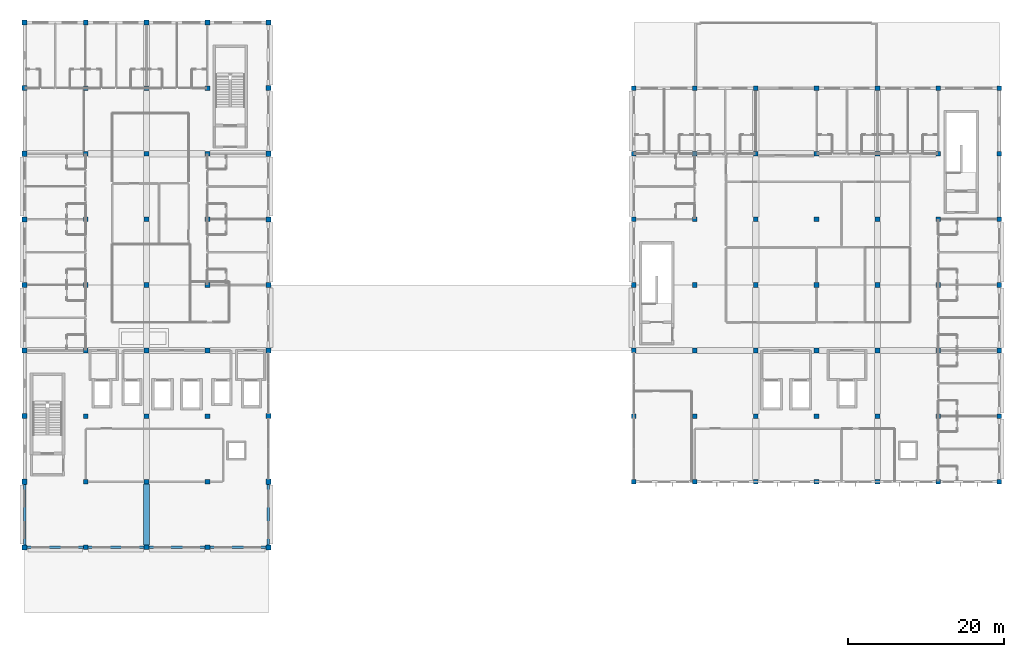
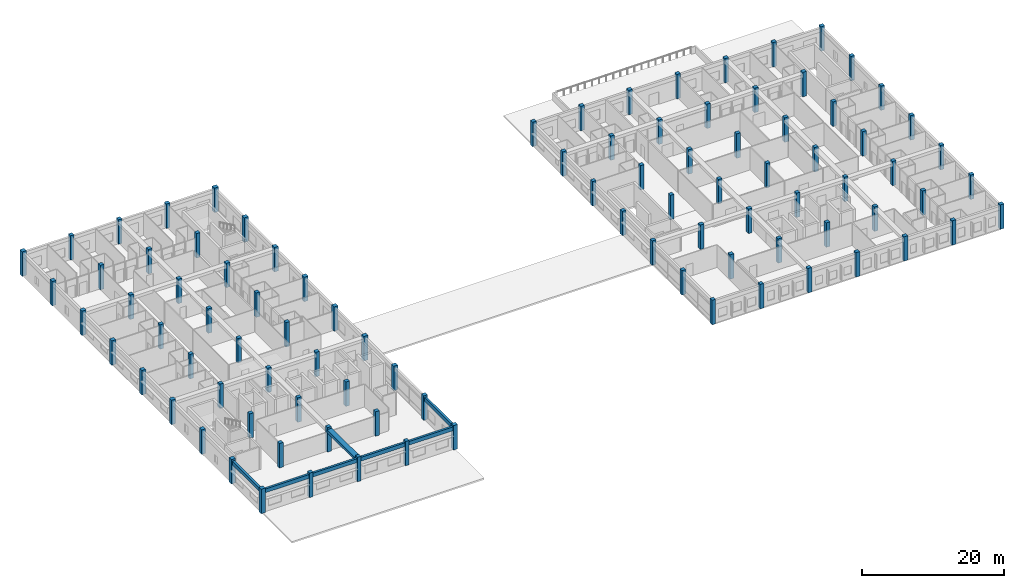
# One storey, part 1 of 32: 94 columns, 7 beams.
"""IFC4 building model written with IfcOpenShell, lengths in metres."""

from ifc_helpers import new_model, si_unit, direction, frame, origin, origin_2d, place, context, subcontext, project, spatial, rectangle, extrude, material, material_profile, profile_set, type_object, element, save


model = new_model("IFC4")

# Units and contexts
model_context = context("Model", 3, precision=1e-05, world=origin(), true_north=direction((0.0, 1.0)))
body_context = subcontext(model_context, "Body", "Model", "MODEL_VIEW")
ifc_project = project(units=[si_unit("LENGTHUNIT", "METRE"), si_unit("AREAUNIT", "SQUARE_METRE"), si_unit("VOLUMEUNIT", "CUBIC_METRE"), si_unit("PLANEANGLEUNIT", "RADIAN"), si_unit("MASSUNIT", "GRAM", prefix="KILO"), si_unit("THERMODYNAMICTEMPERATUREUNIT", "KELVIN"), si_unit("POWERUNIT", "WATT")], contexts=[model_context])

# Site, building, storey
site_placement = place(None, origin())
site = spatial("IfcSite", under=ifc_project, at=site_placement, CompositionType="ELEMENT")
building_placement = place(site_placement, origin())
building = spatial("IfcBuilding", under=site, at=building_placement, Name="Srebrne Nadtorze General Hospital", CompositionType="ELEMENT")
storey_placement = place(building_placement, frame((0.0, 0.0, 29.699951171875)))
storey = spatial("IfcBuildingStorey", under=building, at=storey_placement, Name="L07", CompositionType="ELEMENT", Elevation=29.699951171875)

# Columns
ifc_material_1 = material(Name="Concrete C35/45", Category="concrete")
ifc_material_profile_1 = material_profile(ifc_material_1, rectangle(XDim=0.60009765625, YDim=0.60009765625, at=origin_2d()), Name="RC-COL-600x600")
ifc_profile_set_1 = profile_set([ifc_material_profile_1], Name="Concrete C35/45")
column_type_1 = type_object("IfcColumnType", Name="Reinforced concrete column 600x600", PredefinedType="COLUMN", material=ifc_profile_set_1)
for number, where, z_axis, x_axis, name in (
    (1, (31.199951171875, 25.199951171875, 0.0), (0.0, 0.0, 1.0), (1.0, 0.0, 0.0), "Column CL-L07-5-D"),
    (2, (31.199951171875, 33.60009765625, 0.0), (0.0, 0.0, 1.0), (1.0, 0.0, 0.0), "Column CL-L07-5-E"),
    (3, (31.199951171875, 42.0, 0.0), (0.0, 0.0, 1.0), (1.0, 0.0, 0.0), "Column CL-L07-5-F"),
    (4, (31.199951171875, 50.39990234375, 0.0), (0.0, 0.0, 1.0), (1.0, 0.0, 0.0), "Column CL-L07-5-G"),
    (5, (31.199951171875, 58.800048828125, 0.0), (0.0, 0.0, 1.0), (1.0, 0.0, 0.0), "Column CL-L07-5-H"),
    (6, (31.199951171875, 67.199951171875, 0.0), (0.0, 0.0, 1.0), (1.0, 0.0, 0.0), "Column CL-L07-5-J"),
    (7, (31.199951171875, 75.60009765625, 0.0), (0.0, 0.0, 1.0), (1.0, 0.0, 0.0), "Column CL-L07-5-K"),
    (8, (31.199951171875, 84.0, 0.0), (0.0, 0.0, 1.0), (1.0, 0.0, 0.0), "Column CL-L07-5-L"),
    (9, (31.199951171875, 92.39990234375, 0.0), (0.0, 0.0, 1.0), (1.0, 0.0, 0.0), "Column CL-L07-5-M"),
    (10, (39.0, 25.199951171875, 0.0), (0.0, 0.0, 1.0), (1.0, 0.0, 0.0), "Column CL-L07-6-D"),
    (11, (39.0, 33.60009765625, 0.0), (0.0, 0.0, 1.0), (1.0, 0.0, 0.0), "Column CL-L07-6-E"),
    (12, (39.0, 42.0, 0.0), (0.0, 0.0, 1.0), (1.0, 0.0, 0.0), "Column CL-L07-6-F"),
    (13, (39.0, 50.39990234375, 0.0), (0.0, 0.0, 1.0), (1.0, 0.0, 0.0), "Column CL-L07-6-G"),
    (14, (39.0, 58.800048828125, 0.0), (0.0, 0.0, 1.0), (1.0, 0.0, 0.0), "Column CL-L07-6-H"),
    (15, (39.0, 67.199951171875, 0.0), (0.0, 0.0, 1.0), (1.0, 0.0, 0.0), "Column CL-L07-6-J"),
    (16, (39.0, 75.60009765625, 0.0), (0.0, 0.0, 1.0), (1.0, 0.0, 0.0), "Column CL-L07-6-K"),
    (17, (39.0, 84.0, 0.0), (0.0, 0.0, 1.0), (1.0, 0.0, 0.0), "Column CL-L07-6-L"),
    (18, (39.0, 92.39990234375, 0.0), (0.0, 0.0, 1.0), (1.0, 0.0, 0.0), "Column CL-L07-6-M"),
    (19, (46.800048828125, 25.199951171875, 0.0), (0.0, 0.0, 1.0), (1.0, 0.0, 0.0), "Column CL-L07-7-D"),
    (20, (46.800048828125, 33.60009765625, 0.0), (0.0, 0.0, 1.0), (1.0, 0.0, 0.0), "Column CL-L07-7-E"),
    (21, (46.800048828125, 42.0, 0.0), (0.0, 0.0, 1.0), (1.0, 0.0, 0.0), "Column CL-L07-7-F"),
    (22, (46.800048828125, 50.39990234375, 0.0), (0.0, 0.0, 1.0), (1.0, 0.0, 0.0), "Column CL-L07-7-G"),
    (23, (46.800048828125, 58.800048828125, 0.0), (0.0, 0.0, 1.0), (1.0, 0.0, 0.0), "Column CL-L07-7-H"),
    (24, (46.800048828125, 67.199951171875, 0.0), (0.0, 0.0, 1.0), (1.0, 0.0, 0.0), "Column CL-L07-7-J"),
    (25, (46.800048828125, 75.60009765625, 0.0), (0.0, 0.0, 1.0), (1.0, 0.0, 0.0), "Column CL-L07-7-K"),
    (26, (46.800048828125, 84.0, 0.0), (0.0, 0.0, 1.0), (1.0, 0.0, 0.0), "Column CL-L07-7-L"),
    (27, (46.800048828125, 92.39990234375, 0.0), (0.0, 0.0, 1.0), (1.0, 0.0, 0.0), "Column CL-L07-7-M"),
    (28, (101.39990234375, 33.60009765625, 0.0), (0.0, 0.0, 1.0), (1.0, 0.0, 0.0), "Column CL-L07-14-E"),
    (29, (101.39990234375, 42.0, 0.0), (0.0, 0.0, 1.0), (1.0, 0.0, 0.0), "Column CL-L07-14-F"),
    (30, (101.39990234375, 50.39990234375, 0.0), (0.0, 0.0, 1.0), (1.0, 0.0, 0.0), "Column CL-L07-14-G"),
    (31, (101.39990234375, 58.800048828125, 0.0), (0.0, 0.0, 1.0), (1.0, 0.0, 0.0), "Column CL-L07-14-H"),
    (32, (101.39990234375, 67.199951171875, 0.0), (0.0, 0.0, 1.0), (1.0, 0.0, 0.0), "Column CL-L07-14-J"),
    (33, (101.39990234375, 75.60009765625, 0.0), (0.0, 0.0, 1.0), (1.0, 0.0, 0.0), "Column CL-L07-14-K"),
    (34, (101.39990234375, 84.0, 0.0), (0.0, 0.0, 1.0), (1.0, 0.0, 0.0), "Column CL-L07-14-L"),
    (35, (109.199951171875, 33.60009765625, 0.0), (0.0, 0.0, 1.0), (1.0, 0.0, 0.0), "Column CL-L07-15-E"),
    (36, (109.199951171875, 42.0, 0.0), (0.0, 0.0, 1.0), (1.0, 0.0, 0.0), "Column CL-L07-15-F"),
    (37, (109.199951171875, 50.39990234375, 0.0), (0.0, 0.0, 1.0), (1.0, 0.0, 0.0), "Column CL-L07-15-G"),
    (38, (109.199951171875, 58.800048828125, 0.0), (0.0, 0.0, 1.0), (1.0, 0.0, 0.0), "Column CL-L07-15-H"),
    (39, (109.199951171875, 67.199951171875, 0.0), (0.0, 0.0, 1.0), (1.0, 0.0, 0.0), "Column CL-L07-15-J"),
    (40, (109.199951171875, 75.60009765625, 0.0), (0.0, 0.0, 1.0), (1.0, 0.0, 0.0), "Column CL-L07-15-K"),
    (41, (109.199951171875, 84.0, 0.0), (0.0, 0.0, 1.0), (1.0, 0.0, 0.0), "Column CL-L07-15-L"),
    (42, (117.0, 33.60009765625, 0.0), (0.0, 0.0, 1.0), (1.0, 0.0, 0.0), "Column CL-L07-16-E"),
    (43, (117.0, 42.0, 0.0), (0.0, 0.0, 1.0), (1.0, 0.0, 0.0), "Column CL-L07-16-F"),
    (44, (117.0, 50.39990234375, 0.0), (0.0, 0.0, 1.0), (1.0, 0.0, 0.0), "Column CL-L07-16-G"),
    (45, (117.0, 58.800048828125, 0.0), (0.0, 0.0, 1.0), (1.0, 0.0, 0.0), "Column CL-L07-16-H"),
    (46, (117.0, 67.199951171875, 0.0), (0.0, 0.0, 1.0), (1.0, 0.0, 0.0), "Column CL-L07-16-J"),
    (47, (117.0, 75.60009765625, 0.0), (0.0, 0.0, 1.0), (1.0, 0.0, 0.0), "Column CL-L07-16-K"),
    (48, (117.0, 84.0, 0.0), (0.0, 0.0, 1.0), (1.0, 0.0, 0.0), "Column CL-L07-16-L"),
    (49, (124.800048828125, 33.60009765625, 0.0), (0.0, 0.0, 1.0), (1.0, 0.0, 0.0), "Column CL-L07-17-E"),
    (50, (124.800048828125, 42.0, 0.0), (0.0, 0.0, 1.0), (1.0, 0.0, 0.0), "Column CL-L07-17-F"),
    (51, (124.800048828125, 50.39990234375, 0.0), (0.0, 0.0, 1.0), (1.0, 0.0, 0.0), "Column CL-L07-17-G"),
    (52, (124.800048828125, 58.800048828125, 0.0), (0.0, 0.0, 1.0), (1.0, 0.0, 0.0), "Column CL-L07-17-H"),
    (53, (124.800048828125, 67.199951171875, 0.0), (0.0, 0.0, 1.0), (1.0, 0.0, 0.0), "Column CL-L07-17-J"),
    (54, (124.800048828125, 75.60009765625, 0.0), (0.0, 0.0, 1.0), (1.0, 0.0, 0.0), "Column CL-L07-17-K"),
    (55, (124.800048828125, 84.0, 0.0), (0.0, 0.0, 1.0), (1.0, 0.0, 0.0), "Column CL-L07-17-L"),
    (56, (132.60009765625, 33.60009765625, 0.0), (0.0, 0.0, 1.0), (1.0, 0.0, 0.0), "Column CL-L07-18-E"),
    (57, (132.60009765625, 42.0, 0.0), (0.0, 0.0, 1.0), (1.0, 0.0, 0.0), "Column CL-L07-18-F"),
    (58, (132.60009765625, 50.39990234375, 0.0), (0.0, 0.0, 1.0), (1.0, 0.0, 0.0), "Column CL-L07-18-G"),
    (59, (132.60009765625, 58.800048828125, 0.0), (0.0, 0.0, 1.0), (1.0, 0.0, 0.0), "Column CL-L07-18-H"),
    (60, (132.60009765625, 67.199951171875, 0.0), (0.0, 0.0, 1.0), (1.0, 0.0, 0.0), "Column CL-L07-18-J"),
    (61, (132.60009765625, 75.60009765625, 0.0), (0.0, 0.0, 1.0), (1.0, 0.0, 0.0), "Column CL-L07-18-K"),
    (62, (132.60009765625, 84.0, 0.0), (0.0, 0.0, 1.0), (1.0, 0.0, 0.0), "Column CL-L07-18-L"),
    (63, (140.39990234375, 33.60009765625, 0.0), (0.0, 0.0, 1.0), (1.0, 0.0, 0.0), "Column CL-L07-19-E"),
    (64, (140.39990234375, 42.0, 0.0), (0.0, 0.0, 1.0), (1.0, 0.0, 0.0), "Column CL-L07-19-F"),
    (65, (140.39990234375, 50.39990234375, 0.0), (0.0, 0.0, 1.0), (1.0, 0.0, 0.0), "Column CL-L07-19-G"),
    (66, (140.39990234375, 58.800048828125, 0.0), (0.0, 0.0, 1.0), (1.0, 0.0, 0.0), "Column CL-L07-19-H"),
    (67, (140.39990234375, 67.199951171875, 0.0), (0.0, 0.0, 1.0), (1.0, 0.0, 0.0), "Column CL-L07-19-J"),
    (68, (140.39990234375, 75.60009765625, 0.0), (0.0, 0.0, 1.0), (1.0, 0.0, 0.0), "Column CL-L07-19-K"),
    (69, (140.39990234375, 84.0, 0.0), (0.0, 0.0, 1.0), (1.0, 0.0, 0.0), "Column CL-L07-19-L"),
    (70, (148.199951171875, 33.60009765625, 0.0), (0.0, 0.0, 1.0), (1.0, 0.0, 0.0), "Column CL-L07-20-E"),
    (71, (148.199951171875, 42.0, 0.0), (0.0, 0.0, 1.0), (1.0, 0.0, 0.0), "Column CL-L07-20-F"),
    (72, (148.199951171875, 50.39990234375, 0.0), (0.0, 0.0, 1.0), (1.0, 0.0, 0.0), "Column CL-L07-20-G"),
    (73, (148.199951171875, 58.800048828125, 0.0), (0.0, 0.0, 1.0), (1.0, 0.0, 0.0), "Column CL-L07-20-H"),
    (74, (148.199951171875, 67.199951171875, 0.0), (0.0, 0.0, 1.0), (1.0, 0.0, 0.0), "Column CL-L07-20-J"),
    (75, (148.199951171875, 75.60009765625, 0.0), (0.0, 0.0, 1.0), (1.0, 0.0, 0.0), "Column CL-L07-20-K"),
    (76, (148.199951171875, 84.0, 0.0), (0.0, 0.0, 1.0), (1.0, 0.0, 0.0), "Column CL-L07-20-L"),
):
    element("IfcColumn", number, at=place(storey_placement, frame(where, z_axis=z_axis, x_axis=x_axis)), inside=storey, type_object=column_type_1, Name=name, PredefinedType="COLUMN", context=body_context, shape_type="SweptSolid", body=[
        extrude(rectangle(XDim=0.60009765625, YDim=0.60009765625, at=origin_2d()), origin(), (0.0, 0.0, 1.0), 4.199951171875),
    ])
ifc_material_2 = material(Name="Concrete C35/45", Category="concrete")
ifc_material_profile_2 = material_profile(ifc_material_2, rectangle(XDim=0.64990234375, YDim=0.64990234375, at=origin_2d()), Name="RC-COL-650x650")
ifc_profile_set_2 = profile_set([ifc_material_profile_2], Name="Concrete C35/45")
column_type_2 = type_object("IfcColumnType", Name="Reinforced concrete column 650x650", PredefinedType="COLUMN", material=ifc_profile_set_2)
for number, where, z_axis, x_axis, name in (
    (77, (23.39990234375, 25.199951171875, 0.0), (0.0, 0.0, 1.0), (1.0, 0.0, 0.0), "Column CL-L07-4-D"),
    (78, (23.39990234375, 33.60009765625, 0.0), (0.0, 0.0, 1.0), (1.0, 0.0, 0.0), "Column CL-L07-4-E"),
    (79, (23.39990234375, 42.0, 0.0), (0.0, 0.0, 1.0), (1.0, 0.0, 0.0), "Column CL-L07-4-F"),
    (80, (23.39990234375, 50.39990234375, 0.0), (0.0, 0.0, 1.0), (1.0, 0.0, 0.0), "Column CL-L07-4-G"),
    (81, (23.39990234375, 58.800048828125, 0.0), (0.0, 0.0, 1.0), (1.0, 0.0, 0.0), "Column CL-L07-4-H"),
    (82, (23.39990234375, 67.199951171875, 0.0), (0.0, 0.0, 1.0), (1.0, 0.0, 0.0), "Column CL-L07-4-J"),
    (83, (23.39990234375, 75.60009765625, 0.0), (0.0, 0.0, 1.0), (1.0, 0.0, 0.0), "Column CL-L07-4-K"),
    (84, (23.39990234375, 84.0, 0.0), (0.0, 0.0, 1.0), (1.0, 0.0, 0.0), "Column CL-L07-4-L"),
    (85, (23.39990234375, 92.39990234375, 0.0), (0.0, 0.0, 1.0), (1.0, 0.0, 0.0), "Column CL-L07-4-M"),
    (86, (54.60009765625, 25.199951171875, 0.0), (0.0, 0.0, 1.0), (1.0, 0.0, 0.0), "Column CL-L07-8-D"),
    (87, (54.60009765625, 33.60009765625, 0.0), (0.0, 0.0, 1.0), (1.0, 0.0, 0.0), "Column CL-L07-8-E"),
    (88, (54.60009765625, 42.0, 0.0), (0.0, 0.0, 1.0), (1.0, 0.0, 0.0), "Column CL-L07-8-F"),
    (89, (54.60009765625, 50.39990234375, 0.0), (0.0, 0.0, 1.0), (1.0, 0.0, 0.0), "Column CL-L07-8-G"),
    (90, (54.60009765625, 58.800048828125, 0.0), (0.0, 0.0, 1.0), (1.0, 0.0, 0.0), "Column CL-L07-8-H"),
    (91, (54.60009765625, 67.199951171875, 0.0), (0.0, 0.0, 1.0), (1.0, 0.0, 0.0), "Column CL-L07-8-J"),
    (92, (54.60009765625, 75.60009765625, 0.0), (0.0, 0.0, 1.0), (1.0, 0.0, 0.0), "Column CL-L07-8-K"),
    (93, (54.60009765625, 84.0, 0.0), (0.0, 0.0, 1.0), (1.0, 0.0, 0.0), "Column CL-L07-8-L"),
    (94, (54.60009765625, 92.39990234375, 0.0), (0.0, 0.0, 1.0), (1.0, 0.0, 0.0), "Column CL-L07-8-M"),
):
    element("IfcColumn", number, at=place(storey_placement, frame(where, z_axis=z_axis, x_axis=x_axis)), inside=storey, type_object=column_type_2, Name=name, PredefinedType="COLUMN", context=body_context, shape_type="SweptSolid", body=[
        extrude(rectangle(XDim=0.64990234375, YDim=0.64990234375, at=origin_2d()), origin(), (0.0, 0.0, 1.0), 4.199951171875),
    ])

# Beams
ifc_material_3 = material(Name="Concrete C35/45", Category="concrete")
ifc_material_profile_3 = material_profile(ifc_material_3, rectangle(XDim=0.35009765625, YDim=0.64990234375, at=origin_2d()), Name="RC-BM-350x650")
ifc_profile_set_3 = profile_set([ifc_material_profile_3], Name="Concrete C35/45")
beam_type_1 = type_object("IfcBeamType", Name="Edge beam RC 350x650", PredefinedType="BEAM", material=ifc_profile_set_3)
beam_1_placement = place(storey_placement, frame((23.72509765625, 25.199951171875, 3.574951171875), z_axis=(1.0, 0.0, 0.0), x_axis=(0.0, 1.0, 0.0)))
element("IfcBeam", 95, at=beam_1_placement, inside=storey, type_object=beam_type_1, Name="Beam BM-L07-X-1249", PredefinedType="BEAM", context=body_context, shape_type="SweptSolid", body=[
    extrude(rectangle(XDim=0.35009765625, YDim=0.64990234375, at=origin_2d()), origin(), (0.0, 0.0, 1.0), 7.1748046875),
])
for number, where, z_axis, x_axis, name in (
    (96, (31.5, 25.199951171875, 3.574951171875), (1.0, 0.0, 0.0), (0.0, 1.0, 0.0), "Beam BM-L07-X-1250"),
    (97, (39.300048828125, 25.199951171875, 3.574951171875), (1.0, 0.0, 0.0), (0.0, 1.0, 0.0), "Beam BM-L07-X-1251"),
):
    element("IfcBeam", number, at=place(storey_placement, frame(where, z_axis=z_axis, x_axis=x_axis)), inside=storey, type_object=beam_type_1, Name=name, PredefinedType="BEAM", context=body_context, shape_type="SweptSolid", body=[
        extrude(rectangle(XDim=0.35009765625, YDim=0.64990234375, at=origin_2d()), origin(), (0.0, 0.0, 1.0), 7.199951171875),
    ])
beam_2_placement = place(storey_placement, frame((47.10009765625, 25.199951171875, 3.574951171875), z_axis=(1.0, 0.0, 0.0), x_axis=(0.0, 1.0, 0.0)))
element("IfcBeam", 98, at=beam_2_placement, inside=storey, type_object=beam_type_1, Name="Beam BM-L07-X-1252", PredefinedType="BEAM", context=body_context, shape_type="SweptSolid", body=[
    extrude(rectangle(XDim=0.35009765625, YDim=0.64990234375, at=origin_2d()), origin(), (0.0, 0.0, 1.0), 7.1748046875),
])
for number, where, z_axis, x_axis, name in (
    (99, (23.39990234375, 25.52490234375, 3.574951171875), (0.0, 1.0, 0.0), (-1.0, 0.0, 0.0), "Beam BM-L07-Y-1288"),
    (100, (54.60009765625, 25.52490234375, 3.574951171875), (0.0, 1.0, 0.0), (-1.0, 0.0, 0.0), "Beam BM-L07-Y-1304"),
):
    element("IfcBeam", number, at=place(storey_placement, frame(where, z_axis=z_axis, x_axis=x_axis)), inside=storey, type_object=beam_type_1, Name=name, PredefinedType="BEAM", context=body_context, shape_type="SweptSolid", body=[
        extrude(rectangle(XDim=0.35009765625, YDim=0.64990234375, at=origin_2d()), origin(), (0.0, 0.0, 1.0), 7.75),
    ])
ifc_material_4 = material(Name="Concrete C40/50", Category="concrete")
ifc_material_profile_4 = material_profile(ifc_material_4, rectangle(XDim=0.800048828125, YDim=0.5, at=origin_2d()), Name="RC-BM-800x500")
ifc_profile_set_4 = profile_set([ifc_material_profile_4], Name="Concrete C40/50")
beam_type_2 = type_object("IfcBeamType", Name="Primary beam RC 800x500", PredefinedType="BEAM", material=ifc_profile_set_4)
beam_3_placement = place(storey_placement, frame((39.0, 25.5, 3.650146484375), z_axis=(0.0, 1.0, 0.0), x_axis=(-1.0, 0.0, 0.0)))
element("IfcBeam", 101, at=beam_3_placement, inside=storey, type_object=beam_type_2, Name="Beam BM-L07-Y-1296", PredefinedType="BEAM", context=body_context, shape_type="SweptSolid", body=[
    extrude(rectangle(XDim=0.800048828125, YDim=0.5, at=origin_2d()), origin(), (0.0, 0.0, 1.0), 7.800048828125),
])

save(model, "model.ifc")
